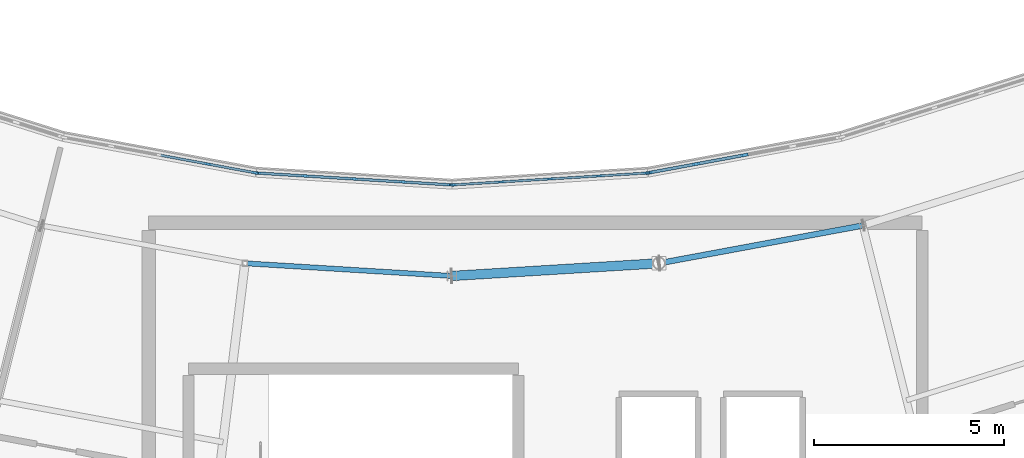
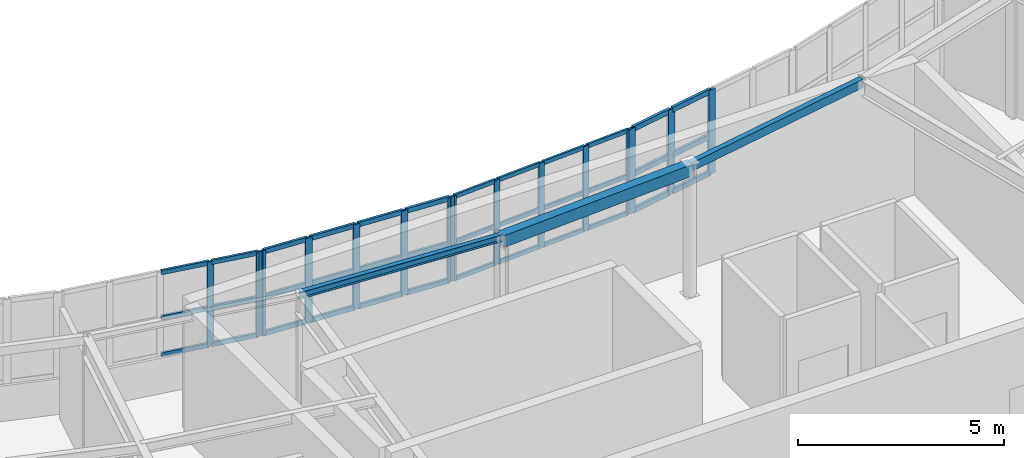
# One storey, part 21 of 60: 51 members, 3 beams, 4 elements without a shape of their own.
"""IFC4 building model written with IfcOpenShell, lengths in metres."""

import ifcopenshell
import ifcopenshell.guid

model = None  # the IFC model being written
_history = None  # IfcOwnerHistory: only IFC2X3 demands one
_inside = {}  # id of a spatial element -> (the spatial element, [elements in it])
_under = {}  # id of a project, library or spatial element -> (it, [spatial elements below it])
_declared = {}  # id of a project -> (the project, [libraries it declares])
_typed = {}  # id of a type object -> (the type object, [elements of that type])
_made_of = {}  # id of a material, layer set ... -> (it, [elements and type objects made of it])


def new_model(schema):
    """Start an empty IFC model of exactly this schema.

    Asked for "IFC4X3", IfcOpenShell would pick the latest addendum, in which some entities
    have other attributes; the version numbers below select the first issue.
    IFC2X3 requires an IfcOwnerHistory on every rooted entity: one is made here for all.
    """
    global model, _history
    if schema == "IFC4X3":
        model = ifcopenshell.file(schema_version=(4, 3, 0, 0))
    else:
        model = ifcopenshell.file(schema=schema)
    _inside.clear()
    _under.clear()
    _declared.clear()
    _typed.clear()
    _made_of.clear()
    _history = None
    if model.schema == "IFC2X3":
        org = make("IfcOrganization", Name="unknown")
        user = make(
            "IfcPersonAndOrganization",
            ThePerson=make("IfcPerson", FamilyName="unknown"),
            TheOrganization=org,
        )
        app = make(
            "IfcApplication",
            ApplicationDeveloper=org,
            Version="unknown",
            ApplicationFullName="unknown",
            ApplicationIdentifier="unknown",
        )
        _history = make(
            "IfcOwnerHistory",
            OwningUser=user,
            OwningApplication=app,
            ChangeAction="ADDED",
            CreationDate=0,
        )
    return model


def make(cls, **values):
    """One entity of the class cls with the attributes given. An attribute that is None is left unset."""
    return model.create_entity(
        cls, **{name: value for name, value in values.items() if value is not None}
    )


def rooted(cls, **values):
    """An entity with a GlobalId (a new one), such as an element, a storey or a relation."""
    return make(cls, GlobalId=ifcopenshell.guid.new(), OwnerHistory=_history, **values)


def si_unit(unit_type, name, prefix=None):
    """IfcSIUnit, for example si_unit("LENGTHUNIT", "METRE", prefix="MILLI")."""
    return make("IfcSIUnit", UnitType=unit_type, Prefix=prefix, Name=name)


def assignment(units):
    """IfcUnitAssignment: the units of a project."""
    return None if units is None else make("IfcUnitAssignment", Units=units)


def point(xyz):
    """IfcCartesianPoint."""
    return None if xyz is None else make("IfcCartesianPoint", Coordinates=xyz)


def direction(xyz):
    """IfcDirection."""
    return None if xyz is None else make("IfcDirection", DirectionRatios=xyz)


def frame(location, z_axis=None, x_axis=None):
    """IfcAxis2Placement3D, a coordinate frame: its origin and axes. An axis left out is left unset."""
    return make(
        "IfcAxis2Placement3D",
        Location=point(location),
        Axis=direction(z_axis),
        RefDirection=direction(x_axis),
    )


def frame_2d(location, x_axis=None):
    """IfcAxis2Placement2D, a coordinate frame in the plane: its origin and x axis."""
    return make(
        "IfcAxis2Placement2D", Location=point(location), RefDirection=direction(x_axis)
    )


def origin():
    """The frame at (0, 0, 0) with its axes left unset."""
    return frame((0.0, 0.0, 0.0))


def origin_2d():
    """The frame at (0, 0) in the plane with its x axis left unset."""
    return frame_2d((0.0, 0.0))


def place(relative_to, where):
    """IfcLocalPlacement: puts the frame where relative to a parent placement (None: the world)."""
    return make(
        "IfcLocalPlacement", PlacementRelTo=relative_to, RelativePlacement=where
    )


def context(
    kind, dimensions, precision=None, world=None, true_north=None, identifier=None
):
    """IfcGeometricRepresentationContext, for example the 3D "Model" context."""
    return make(
        "IfcGeometricRepresentationContext",
        ContextIdentifier=identifier,
        ContextType=kind,
        CoordinateSpaceDimension=dimensions,
        Precision=precision,
        WorldCoordinateSystem=world,
        TrueNorth=true_north,
    )


def subcontext(parent, identifier, kind, view, scale=None):
    """IfcGeometricRepresentationSubContext, for example "Body" below "Model"."""
    return make(
        "IfcGeometricRepresentationSubContext",
        ContextIdentifier=identifier,
        ContextType=kind,
        ParentContext=parent,
        TargetScale=scale,
        TargetView=view,
    )


def project(units=None, contexts=None):
    """IfcProject with its units and contexts."""
    return rooted(
        "IfcProject",
        Name="project",
        RepresentationContexts=contexts,
        UnitsInContext=assignment(units),
    )


def spatial(cls, under=None, at=None, **own):
    """A site, building, storey or space (cls), placed at a placement, below another one or the project."""
    s = rooted(cls, ObjectPlacement=at, **own)
    if under is not None:
        _under.setdefault(under.id(), (under, []))[1].append(s)
    return s


def profile(cls, at=None, kind="AREA", **sizes):
    """A parametric profile (cls). Its sizes go by their IFC names, for example OverallWidth=200.0."""
    return make(cls, ProfileType=kind, Position=at, **sizes)


def rectangle(**sizes):
    """IfcRectangleProfileDef."""
    return profile("IfcRectangleProfileDef", **sizes)


def hollow_rectangle(**sizes):
    """IfcRectangleHollowProfileDef."""
    return profile("IfcRectangleHollowProfileDef", **sizes)


def i_section(**sizes):
    """IfcIShapeProfileDef."""
    return profile("IfcIShapeProfileDef", **sizes)


def extrude(swept, where, along, depth):
    """IfcExtrudedAreaSolid: the profile swept, set in the frame where, extruded along a direction by depth."""
    return make(
        "IfcExtrudedAreaSolid",
        SweptArea=swept,
        Position=where,
        ExtrudedDirection=direction(along),
        Depth=depth,
    )


def shape(context_of_items, identifier, shape_type, items):
    """IfcShapeRepresentation: the items that make up one representation, for example the "Body"."""
    return make(
        "IfcShapeRepresentation",
        ContextOfItems=context_of_items,
        RepresentationIdentifier=identifier,
        RepresentationType=shape_type,
        Items=items,
    )


def material(Name=None, Category=None):
    """IfcMaterial."""
    return make("IfcMaterial", Name=Name, Category=Category)


def layer(
    of_material, thickness, ventilated=None, Name=None, Category=None, Priority=None
):
    """IfcMaterialLayer: one layer of a wall or slab, of a material (None: an air gap)."""
    return make(
        "IfcMaterialLayer",
        Material=of_material,
        LayerThickness=thickness,
        IsVentilated=ventilated,
        Name=Name,
        Category=Category,
        Priority=Priority,
    )


def layer_set(layers, Name=None):
    """IfcMaterialLayerSet."""
    return make("IfcMaterialLayerSet", MaterialLayers=layers, LayerSetName=Name)


def material_profile(
    of_material, cross_section, Name=None, Category=None, Priority=None
):
    """IfcMaterialProfile: a cross section and its material."""
    return make(
        "IfcMaterialProfile",
        Name=Name,
        Material=of_material,
        Profile=cross_section,
        Priority=Priority,
        Category=Category,
    )


def profile_set(profiles, Name=None, composite=None):
    """IfcMaterialProfileSet."""
    return make(
        "IfcMaterialProfileSet",
        Name=Name,
        MaterialProfiles=profiles,
        CompositeProfile=composite,
    )


def made_of(thing, what):
    """Note that an element or type object is made of a material, layer set ...; save() writes the relation."""
    if what is not None:
        _made_of.setdefault(what.id(), (what, []))[1].append(thing)
    return thing


def type_object(cls, material=None, **own):
    """A type object (cls), such as IfcWallType, which elements share."""
    return made_of(rooted(cls, **own), material)


def element(
    cls,
    number,
    at=None,
    inside=None,
    cuts=None,
    type_object=None,
    material=None,
    context=None,
    identifier="Body",
    shape_type=None,
    held_by="IfcProductDefinitionShape",
    body=None,
    shapes=None,
    **own,
):
    """One element of the class cls, such as IfcWall. Its Tag is "e" and its number.

    at: its placement. inside: the storey or other place that contains it. cuts: it is an
    opening in that element (IfcRelVoidsElement). A single representation is given by context,
    identifier, shape_type and body (its items); several are given by shapes. held_by: the class
    of the entity that holds the representations. save() writes the other relations.
    """
    e = rooted(cls, Tag="e%d" % number, ObjectPlacement=at, **own)
    if body is not None:
        shapes = [shape(context, identifier, shape_type, body)]
    if shapes is not None:
        e.Representation = make(held_by, Representations=shapes)
    if inside is not None:
        _inside.setdefault(inside.id(), (inside, []))[1].append(e)
    if cuts is not None:
        rooted(
            "IfcRelVoidsElement", RelatingBuildingElement=cuts, RelatedOpeningElement=e
        )
    if type_object is not None:
        _typed.setdefault(type_object.id(), (type_object, []))[1].append(e)
    return made_of(e, material)


def aggregate(whole, parts):
    """IfcRelAggregates: a whole, such as a stair, and the parts it consists of."""
    return rooted("IfcRelAggregates", RelatingObject=whole, RelatedObjects=parts)


def save(model, path):
    """Write the relations noted so far, then the file.

    IfcRelAggregates (storeys below a building ...), IfcRelContainedInSpatialStructure (elements
    in a storey), IfcRelDefinesByType, IfcRelAssociatesMaterial and IfcRelDeclares: one each for
    every whole, place, type object, material and project.
    """
    for whole, parts in _under.values():
        aggregate(whole, parts)
    for where, things in _inside.values():
        rooted(
            "IfcRelContainedInSpatialStructure",
            RelatedElements=things,
            RelatingStructure=where,
        )
    for kind, things in _typed.values():
        rooted("IfcRelDefinesByType", RelatedObjects=things, RelatingType=kind)
    for what, things in _made_of.values():
        rooted("IfcRelAssociatesMaterial", RelatedObjects=things, RelatingMaterial=what)
    for by, libraries in _declared.values():
        rooted("IfcRelDeclares", RelatingContext=by, RelatedDefinitions=libraries)
    model.write(path)


model = new_model("IFC4")

# Units and contexts
model_context = context("Model", 3, precision=1e-05, world=origin(), true_north=direction((0.0, 1.0)))
body_context = subcontext(model_context, "Body", "Model", "MODEL_VIEW")
ifc_project = project(units=[si_unit("LENGTHUNIT", "METRE"), si_unit("AREAUNIT", "SQUARE_METRE"), si_unit("VOLUMEUNIT", "CUBIC_METRE"), si_unit("PLANEANGLEUNIT", "RADIAN"), si_unit("MASSUNIT", "GRAM", prefix="KILO")], contexts=[model_context])

# Site, building, storey
site_placement = place(None, origin())
site = spatial("IfcSite", under=ifc_project, at=site_placement, CompositionType="ELEMENT")
building_placement = place(site_placement, origin())
building = spatial("IfcBuilding", under=site, at=building_placement, Name="Tarnwether General Hospital", CompositionType="ELEMENT")
storey_placement = place(building_placement, frame((0.0, 0.0, 26.10009765625)))
storey = spatial("IfcBuildingStorey", under=building, at=storey_placement, Name="L06", CompositionType="ELEMENT", Elevation=26.10009765625)

# Beams
ifc_material_1 = material(Name="Steel Grade 350 (350 MPa)", Category="steel")
ifc_material_profile_1 = material_profile(ifc_material_1, i_section(OverallWidth=0.133056640625, OverallDepth=0.201904296875, WebThickness=0.0048828125, FlangeThickness=0.007080078125, at=origin_2d()), Name="200UB22.3")
ifc_profile_set_1 = profile_set([ifc_material_profile_1], Name="Steel Grade 350 (350 MPa)")
beam_type_1 = type_object("IfcBeamType", Name="BM-SP6", PredefinedType="SPANDREL", material=ifc_profile_set_1)
beam_1_placement = place(storey_placement, frame((86.5400390625, 18.533935546875, 3.798828125), z_axis=(0.998134365538, -0.061055616708, 0.0), x_axis=(0.061055616708, 0.998134365538, 0.0)))
element("IfcBeam", 1, at=beam_1_placement, inside=storey, type_object=beam_type_1, Name="Curved Ward SE Inner Spandrel BMG-L06-8654_1853-9200_1820-2211", PredefinedType="SPANDREL", context=body_context, shape_type="SweptSolid", body=[
    extrude(i_section(OverallWidth=0.133056640625, OverallDepth=0.201904296875, WebThickness=0.0048828125, FlangeThickness=0.007080078125, at=origin_2d()), origin(), (0.0, 0.0, 1.0), 5.47021484375),
])
ifc_material_2 = material(Name="Steel Grade C350L0 (350 MPa)", Category="steel")
ifc_material_profile_2 = material_profile(ifc_material_2, hollow_rectangle(XDim=0.25, YDim=0.35009765625, WallThickness=0.012451171875, at=origin_2d()), Name="RHS350x250x12.5")
ifc_profile_set_2 = profile_set([ifc_material_profile_2], Name="Steel Grade C350L0 (350 MPa)")
beam_type_2 = type_object("IfcBeamType", Name="BM-SP7", PredefinedType="SPANDREL", material=ifc_profile_set_2)
beam_2_placement = place(storey_placement, frame((92.0, 18.199951171875, 3.724853515625), z_axis=(0.998134365538, 0.061055616708, 0.0), x_axis=(-0.061055616708, 0.998134365538, 0.0)))
element("IfcBeam", 2, at=beam_2_placement, inside=storey, type_object=beam_type_2, Name="Curved Ward SE Inner Spandrel BMG-L06-9200_1820-9746_1853-2213", PredefinedType="SPANDREL", context=body_context, shape_type="SweptSolid", body=[
    extrude(hollow_rectangle(XDim=0.25, YDim=0.35009765625, WallThickness=0.012451171875, at=origin_2d()), origin(), (0.0, 0.0, 1.0), 5.47021484375),
])
ifc_material_3 = material(Name="Steel Grade C350L0 (350 MPa)", Category="steel")
ifc_material_profile_3 = material_profile(ifc_material_3, hollow_rectangle(XDim=0.14990234375, YDim=0.25, WallThickness=0.008056640625, at=origin_2d()), Name="RHS250x150x8")
ifc_profile_set_3 = profile_set([ifc_material_profile_3], Name="Steel Grade C350L0 (350 MPa)")
beam_type_3 = type_object("IfcBeamType", Name="BM-SP8", PredefinedType="SPANDREL", material=ifc_profile_set_3)
beam_3_placement = place(storey_placement, frame((97.4599609375, 18.533935546875, 3.77490234375), z_axis=(0.983244096291, 0.18229384825, 0.0), x_axis=(-0.18229384825, 0.983244096291, 0.0)))
element("IfcBeam", 3, at=beam_3_placement, inside=storey, type_object=beam_type_3, Name="Curved Ward SE Inner Spandrel BMG-L06-9746_1853-10284_1953-2215", PredefinedType="SPANDREL", context=body_context, shape_type="SweptSolid", body=[
    extrude(hollow_rectangle(XDim=0.14990234375, YDim=0.25, WallThickness=0.008056640625, at=origin_2d()), origin(), (0.0, 0.0, 1.0), 5.469482421875),
])

# Curtain wall, members
ifc_material_4 = material(Name="Anodised aluminium", Category="aluminium")
ifc_layer = layer(ifc_material_4, 0.159912109375)
ifc_layer_set = layer_set([ifc_layer], Name="Anodised aluminium")
curtain_wall_type = type_object("IfcCurtainWallType", Name="CW-03", PredefinedType="NOTDEFINED", material=ifc_layer_set)
curtain_wall_1_placement = place(storey_placement, origin())
curtain_wall_1 = element("IfcCurtainWall", 4, at=curtain_wall_1_placement, inside=storey, type_object=curtain_wall_type, Name="Curtain Wall CWG-L06-920_206-0261", PredefinedType="NOTDEFINED")
ifc_material_5 = material(Name="Anodised aluminium", Category="aluminium")
ifc_material_profile_4 = material_profile(ifc_material_5, rectangle(XDim=0.06005859375, YDim=0.159912109375, at=origin_2d()), Name="ALU-MUL-60x160")
ifc_profile_set_4 = profile_set([ifc_material_profile_4], Name="Anodised aluminium")
member_type_1 = type_object("IfcMemberType", Name="CW-ML1", PredefinedType="MULLION", material=ifc_profile_set_4)
member_1_placement = place(storey_placement, frame((92.030029296875, 20.601806640625, 1.0498046875), z_axis=(0.0, 0.0, 1.0), x_axis=(-0.06104329354, 0.998135119267, 0.0)))
member_1 = element("IfcMember", 5, at=member_1_placement, type_object=member_type_1, Name="CW-03 mullion 1", PredefinedType="MULLION", context=body_context, shape_type="SweptSolid", body=[
    extrude(rectangle(XDim=0.06005859375, YDim=0.159912109375, at=origin_2d()), origin(), (0.0, 0.0, 1.0), 2.4951171875),
])
member_2_placement = place(storey_placement, frame((93.291748046875, 20.678955078125, 1.0498046875), z_axis=(0.0, 0.0, 1.0), x_axis=(-0.06104329354, 0.998135119267, 0.0)))
member_2 = element("IfcMember", 6, at=member_2_placement, type_object=member_type_1, Name="CW-03 mullion 2", PredefinedType="MULLION", context=body_context, shape_type="SweptSolid", body=[
    extrude(rectangle(XDim=0.06005859375, YDim=0.159912109375, at=origin_2d()), origin(), (0.0, 0.0, 1.0), 2.4951171875),
])
member_3_placement = place(storey_placement, frame((94.58349609375, 20.758056640625, 1.0498046875), z_axis=(0.0, 0.0, 1.0), x_axis=(-0.06104329354, 0.998135119267, 0.0)))
member_3 = element("IfcMember", 7, at=member_3_placement, type_object=member_type_1, Name="CW-03 mullion 3", PredefinedType="MULLION", context=body_context, shape_type="SweptSolid", body=[
    extrude(rectangle(XDim=0.06005859375, YDim=0.159912109375, at=origin_2d()), origin(), (0.0, 0.0, 1.0), 2.4951171875),
])
member_4_placement = place(storey_placement, frame((95.875244140625, 20.8369140625, 1.0498046875), z_axis=(0.0, 0.0, 1.0), x_axis=(-0.06104329354, 0.998135119267, 0.0)))
member_4 = element("IfcMember", 8, at=member_4_placement, type_object=member_type_1, Name="CW-03 mullion 4", PredefinedType="MULLION", context=body_context, shape_type="SweptSolid", body=[
    extrude(rectangle(XDim=0.06005859375, YDim=0.159912109375, at=origin_2d()), origin(), (0.0, 0.0, 1.0), 2.4951171875),
])
member_5_placement = place(storey_placement, frame((97.136962890625, 20.9140625, 1.0498046875), z_axis=(0.0, 0.0, 1.0), x_axis=(-0.06104329354, 0.998135119267, 0.0)))
member_5 = element("IfcMember", 9, at=member_5_placement, type_object=member_type_1, Name="CW-03 mullion 5", PredefinedType="MULLION", context=body_context, shape_type="SweptSolid", body=[
    extrude(rectangle(XDim=0.06005859375, YDim=0.159912109375, at=origin_2d()), origin(), (0.0, 0.0, 1.0), 2.4951171875),
])

curtain_wall_2_placement = place(storey_placement, origin())
curtain_wall_2 = element("IfcCurtainWall", 10, at=curtain_wall_2_placement, inside=storey, type_object=curtain_wall_type, Name="Curtain Wall CWG-L06-868_209-0262", PredefinedType="NOTDEFINED")
ifc_material_6 = material(Name="Anodised aluminium", Category="aluminium")
ifc_material_profile_5 = material_profile(ifc_material_6, rectangle(XDim=0.070068359375, YDim=0.179931640625, at=origin_2d()), Name="ALU-MUL-70x180")
ifc_profile_set_5 = profile_set([ifc_material_profile_5], Name="Anodised aluminium")
member_type_2 = type_object("IfcMemberType", Name="CW-ML2", PredefinedType="MULLION", material=ifc_profile_set_5)
member_6_placement = place(storey_placement, frame((86.867919921875, 20.913818359375, 1.0498046875), z_axis=(0.0, 0.0, 1.0), x_axis=(0.06104329354, 0.998135119267, 0.0)))
member_6 = element("IfcMember", 11, at=member_6_placement, type_object=member_type_2, Name="CW-03 mullion 1", PredefinedType="MULLION", context=body_context, shape_type="SweptSolid", body=[
    extrude(rectangle(XDim=0.070068359375, YDim=0.179931640625, at=origin_2d()), origin(), (0.0, 0.0, 1.0), 2.4951171875),
])
member_7_placement = place(storey_placement, frame((88.124755859375, 20.8369140625, 1.0498046875), z_axis=(0.0, 0.0, 1.0), x_axis=(0.06104329354, 0.998135119267, 0.0)))
member_7 = element("IfcMember", 12, at=member_7_placement, type_object=member_type_2, Name="CW-03 mullion 2", PredefinedType="MULLION", context=body_context, shape_type="SweptSolid", body=[
    extrude(rectangle(XDim=0.070068359375, YDim=0.179931640625, at=origin_2d()), origin(), (0.0, 0.0, 1.0), 2.4951171875),
])
member_8_placement = place(storey_placement, frame((89.41650390625, 20.758056640625, 1.0498046875), z_axis=(0.0, 0.0, 1.0), x_axis=(0.06104329354, 0.998135119267, 0.0)))
member_8 = element("IfcMember", 13, at=member_8_placement, type_object=member_type_2, Name="CW-03 mullion 3", PredefinedType="MULLION", context=body_context, shape_type="SweptSolid", body=[
    extrude(rectangle(XDim=0.070068359375, YDim=0.179931640625, at=origin_2d()), origin(), (0.0, 0.0, 1.0), 2.4951171875),
])
member_9_placement = place(storey_placement, frame((90.708251953125, 20.678955078125, 1.0498046875), z_axis=(0.0, 0.0, 1.0), x_axis=(0.06104329354, 0.998135119267, 0.0)))
member_9 = element("IfcMember", 14, at=member_9_placement, type_object=member_type_2, Name="CW-03 mullion 4", PredefinedType="MULLION", context=body_context, shape_type="SweptSolid", body=[
    extrude(rectangle(XDim=0.070068359375, YDim=0.179931640625, at=origin_2d()), origin(), (0.0, 0.0, 1.0), 2.4951171875),
])
member_10_placement = place(storey_placement, frame((91.965087890625, 20.60205078125, 1.0498046875), z_axis=(0.0, 0.0, 1.0), x_axis=(0.06104329354, 0.998135119267, 0.0)))
member_10 = element("IfcMember", 15, at=member_10_placement, type_object=member_type_2, Name="CW-03 mullion 5", PredefinedType="MULLION", context=body_context, shape_type="SweptSolid", body=[
    extrude(rectangle(XDim=0.070068359375, YDim=0.179931640625, at=origin_2d()), origin(), (0.0, 0.0, 1.0), 2.4951171875),
])

curtain_wall_3_placement = place(storey_placement, origin())
curtain_wall_3 = element("IfcCurtainWall", 16, at=curtain_wall_3_placement, inside=storey, type_object=curtain_wall_type, Name="Curtain Wall CWG-L06-817_219-0263", PredefinedType="NOTDEFINED")
ifc_material_7 = material(Name="Anodised aluminium", Category="aluminium")
ifc_material_profile_6 = material_profile(ifc_material_7, rectangle(XDim=0.06494140625, YDim=0.169921875, at=origin_2d()), Name="ALU-MUL-65x170")
ifc_profile_set_6 = profile_set([ifc_material_profile_6], Name="Anodised aluminium")
member_type_3 = type_object("IfcMemberType", Name="CW-ML3", PredefinedType="MULLION", material=ifc_profile_set_6)
member_11_placement = place(storey_placement, frame((85.560546875, 21.15185546875, 1.0498046875), z_axis=(0.0, 0.0, 1.0), x_axis=(0.182165351666, 0.983267910924, 0.0)))
member_11 = element("IfcMember", 17, at=member_11_placement, type_object=member_type_3, Name="CW-03 mullion 4", PredefinedType="MULLION", context=body_context, shape_type="SweptSolid", body=[
    extrude(rectangle(XDim=0.06494140625, YDim=0.169921875, at=origin_2d()), origin(), (0.0, 0.0, 1.0), 2.4951171875),
])
member_12_placement = place(storey_placement, frame((86.801025390625, 20.921875, 1.0498046875), z_axis=(0.0, 0.0, 1.0), x_axis=(0.182165351666, 0.983267910924, 0.0)))
member_12 = element("IfcMember", 18, at=member_12_placement, type_object=member_type_3, Name="CW-03 mullion 5", PredefinedType="MULLION", context=body_context, shape_type="SweptSolid", body=[
    extrude(rectangle(XDim=0.06494140625, YDim=0.169921875, at=origin_2d()), origin(), (0.0, 0.0, 1.0), 2.4951171875),
])

curtain_wall_4_placement = place(storey_placement, origin())
curtain_wall_4 = element("IfcCurtainWall", 19, at=curtain_wall_4_placement, inside=storey, type_object=curtain_wall_type, Name="Curtain Wall CWG-L06-972_209-0260", PredefinedType="NOTDEFINED")
ifc_material_8 = material(Name="Anodised aluminium", Category="aluminium")
ifc_material_profile_7 = material_profile(ifc_material_8, rectangle(XDim=0.080078125, YDim=0.199951171875, at=origin_2d()), Name="ALU-MUL-80x200")
ifc_profile_set_7 = profile_set([ifc_material_profile_7], Name="Anodised aluminium")
member_type_4 = type_object("IfcMemberType", Name="CW-ML4", PredefinedType="MULLION", material=ifc_profile_set_7)
member_13_placement = place(storey_placement, frame((97.206298828125, 20.92333984375, 1.0498046875), z_axis=(0.0, 0.0, 1.0), x_axis=(-0.182165351666, 0.983267910924, 0.0)))
member_13 = element("IfcMember", 20, at=member_13_placement, type_object=member_type_4, Name="CW-03 mullion 1", PredefinedType="MULLION", context=body_context, shape_type="SweptSolid", body=[
    extrude(rectangle(XDim=0.080078125, YDim=0.199951171875, at=origin_2d()), origin(), (0.0, 0.0, 1.0), 2.4951171875),
])
member_14_placement = place(storey_placement, frame((98.439453125, 21.15185546875, 1.0498046875), z_axis=(0.0, 0.0, 1.0), x_axis=(-0.182165351666, 0.983267910924, 0.0)))
member_14 = element("IfcMember", 21, at=member_14_placement, type_object=member_type_4, Name="CW-03 mullion 2", PredefinedType="MULLION", context=body_context, shape_type="SweptSolid", body=[
    extrude(rectangle(XDim=0.080078125, YDim=0.199951171875, at=origin_2d()), origin(), (0.0, 0.0, 1.0), 2.4951171875),
])
member_15_placement = place(storey_placement, frame((99.7119140625, 21.387451171875, 1.0498046875), z_axis=(0.0, 0.0, 1.0), x_axis=(-0.182165351666, 0.983267910924, 0.0)))
member_15 = element("IfcMember", 22, at=member_15_placement, type_object=member_type_4, Name="CW-03 mullion 3", PredefinedType="MULLION", context=body_context, shape_type="SweptSolid", body=[
    extrude(rectangle(XDim=0.080078125, YDim=0.199951171875, at=origin_2d()), origin(), (0.0, 0.0, 1.0), 2.4951171875),
])

# Member
ifc_material_9 = material(Name="Anodised aluminium", Category="aluminium")
ifc_material_profile_8 = material_profile(ifc_material_9, rectangle(XDim=0.06005859375, YDim=0.1201171875, at=origin_2d()), Name="ALU-TRN-60x120")
ifc_profile_set_8 = profile_set([ifc_material_profile_8], Name="Anodised aluminium")
member_type_5 = type_object("IfcMemberType", Name="CW-TR1", PredefinedType="USERDEFINED", material=ifc_profile_set_8)
member_16_placement = place(storey_placement, frame((92.059814453125, 20.603759765625, 1.079833984375), z_axis=(0.998136077867, 0.061027617192, 0.0), x_axis=(-0.061027617192, 0.998136077867, 0.0)))
member_16 = element("IfcMember", 23, at=member_16_placement, type_object=member_type_5, Name="CW-03 transom 1.1", ObjectType="TRANSOM", PredefinedType="USERDEFINED", context=body_context, shape_type="SweptSolid", body=[
    extrude(rectangle(XDim=0.06005859375, YDim=0.1201171875, at=origin_2d()), origin(), (0.0, 0.0, 1.0), 1.2041015625),
])

member_17_placement = place(storey_placement, frame((92.059814453125, 20.603759765625, 2.172607421875), z_axis=(0.998136077867, 0.061027617192, 0.0), x_axis=(-0.061027617192, 0.998136077867, 0.0)))
member_17 = element("IfcMember", 24, at=member_17_placement, type_object=member_type_5, Name="CW-03 transom 1.2", ObjectType="TRANSOM", PredefinedType="USERDEFINED", context=body_context, shape_type="SweptSolid", body=[
    extrude(rectangle(XDim=0.06005859375, YDim=0.1201171875, at=origin_2d()), origin(), (0.0, 0.0, 1.0), 1.2041015625),
])

member_18_placement = place(storey_placement, frame((92.059814453125, 20.603759765625, 3.514892578125), z_axis=(0.998136077867, 0.061027617192, 0.0), x_axis=(-0.061027617192, 0.998136077867, 0.0)))
member_18 = element("IfcMember", 25, at=member_18_placement, type_object=member_type_5, Name="CW-03 transom 1.3", ObjectType="TRANSOM", PredefinedType="USERDEFINED", context=body_context, shape_type="SweptSolid", body=[
    extrude(rectangle(XDim=0.06005859375, YDim=0.1201171875, at=origin_2d()), origin(), (0.0, 0.0, 1.0), 1.2041015625),
])

member_19_placement = place(storey_placement, frame((93.32177734375, 20.680908203125, 1.079833984375), z_axis=(0.998141608765, 0.060937089296, 0.0), x_axis=(-0.060937089296, 0.998141608765, 0.0)))
member_19 = element("IfcMember", 26, at=member_19_placement, type_object=member_type_5, Name="CW-03 transom 2.1", ObjectType="TRANSOM", PredefinedType="USERDEFINED", context=body_context, shape_type="SweptSolid", body=[
    extrude(rectangle(XDim=0.06005859375, YDim=0.1201171875, at=origin_2d()), origin(), (0.0, 0.0, 1.0), 1.23388671875),
])

member_20_placement = place(storey_placement, frame((93.32177734375, 20.680908203125, 2.172607421875), z_axis=(0.998141608765, 0.060937089296, 0.0), x_axis=(-0.060937089296, 0.998141608765, 0.0)))
member_20 = element("IfcMember", 27, at=member_20_placement, type_object=member_type_5, Name="CW-03 transom 2.2", ObjectType="TRANSOM", PredefinedType="USERDEFINED", context=body_context, shape_type="SweptSolid", body=[
    extrude(rectangle(XDim=0.06005859375, YDim=0.1201171875, at=origin_2d()), origin(), (0.0, 0.0, 1.0), 1.23388671875),
])

member_21_placement = place(storey_placement, frame((93.32177734375, 20.680908203125, 3.514892578125), z_axis=(0.998141608765, 0.060937089296, 0.0), x_axis=(-0.060937089296, 0.998141608765, 0.0)))
member_21 = element("IfcMember", 28, at=member_21_placement, type_object=member_type_5, Name="CW-03 transom 2.3", ObjectType="TRANSOM", PredefinedType="USERDEFINED", context=body_context, shape_type="SweptSolid", body=[
    extrude(rectangle(XDim=0.06005859375, YDim=0.1201171875, at=origin_2d()), origin(), (0.0, 0.0, 1.0), 1.23388671875),
])

member_22_placement = place(storey_placement, frame((94.613525390625, 20.759765625, 1.079833984375), z_axis=(0.998129555591, 0.061134198747, 0.0), x_axis=(-0.061134198747, 0.998129555591, 0.0)))
member_22 = element("IfcMember", 29, at=member_22_placement, type_object=member_type_5, Name="CW-03 transom 3.1", ObjectType="TRANSOM", PredefinedType="USERDEFINED", context=body_context, shape_type="SweptSolid", body=[
    extrude(rectangle(XDim=0.06005859375, YDim=0.1201171875, at=origin_2d()), origin(), (0.0, 0.0, 1.0), 1.23388671875),
])

member_23_placement = place(storey_placement, frame((94.613525390625, 20.759765625, 2.172607421875), z_axis=(0.998129555591, 0.061134198747, 0.0), x_axis=(-0.061134198747, 0.998129555591, 0.0)))
member_23 = element("IfcMember", 30, at=member_23_placement, type_object=member_type_5, Name="CW-03 transom 3.2", ObjectType="TRANSOM", PredefinedType="USERDEFINED", context=body_context, shape_type="SweptSolid", body=[
    extrude(rectangle(XDim=0.06005859375, YDim=0.1201171875, at=origin_2d()), origin(), (0.0, 0.0, 1.0), 1.23388671875),
])

member_24_placement = place(storey_placement, frame((94.613525390625, 20.759765625, 3.514892578125), z_axis=(0.998129555591, 0.061134198747, 0.0), x_axis=(-0.061134198747, 0.998129555591, 0.0)))
member_24 = element("IfcMember", 31, at=member_24_placement, type_object=member_type_5, Name="CW-03 transom 3.3", ObjectType="TRANSOM", PredefinedType="USERDEFINED", context=body_context, shape_type="SweptSolid", body=[
    extrude(rectangle(XDim=0.06005859375, YDim=0.1201171875, at=origin_2d()), origin(), (0.0, 0.0, 1.0), 1.23388671875),
])

member_25_placement = place(storey_placement, frame((95.9052734375, 20.8388671875, 1.079833984375), z_axis=(0.998136077867, 0.061027617192, 0.0), x_axis=(-0.061027617192, 0.998136077867, 0.0)))
member_25 = element("IfcMember", 32, at=member_25_placement, type_object=member_type_5, Name="CW-03 transom 4.1", ObjectType="TRANSOM", PredefinedType="USERDEFINED", context=body_context, shape_type="SweptSolid", body=[
    extrude(rectangle(XDim=0.06005859375, YDim=0.1201171875, at=origin_2d()), origin(), (0.0, 0.0, 1.0), 1.2041015625),
])

member_26_placement = place(storey_placement, frame((95.9052734375, 20.8388671875, 2.172607421875), z_axis=(0.998136077867, 0.061027617192, 0.0), x_axis=(-0.061027617192, 0.998136077867, 0.0)))
member_26 = element("IfcMember", 33, at=member_26_placement, type_object=member_type_5, Name="CW-03 transom 4.2", ObjectType="TRANSOM", PredefinedType="USERDEFINED", context=body_context, shape_type="SweptSolid", body=[
    extrude(rectangle(XDim=0.06005859375, YDim=0.1201171875, at=origin_2d()), origin(), (0.0, 0.0, 1.0), 1.2041015625),
])

member_27_placement = place(storey_placement, frame((95.9052734375, 20.8388671875, 3.514892578125), z_axis=(0.998136077867, 0.061027617192, 0.0), x_axis=(-0.061027617192, 0.998136077867, 0.0)))
member_27 = element("IfcMember", 34, at=member_27_placement, type_object=member_type_5, Name="CW-03 transom 4.3", ObjectType="TRANSOM", PredefinedType="USERDEFINED", context=body_context, shape_type="SweptSolid", body=[
    extrude(rectangle(XDim=0.06005859375, YDim=0.1201171875, at=origin_2d()), origin(), (0.0, 0.0, 1.0), 1.2041015625),
])

aggregate(curtain_wall_1, [member_1, member_2, member_3, member_4, member_5, member_16, member_17, member_18, member_19, member_20, member_21, member_22, member_23, member_24, member_25, member_26, member_27])

ifc_material_10 = material(Name="Anodised aluminium", Category="aluminium")
ifc_material_profile_9 = material_profile(ifc_material_10, rectangle(XDim=0.070068359375, YDim=0.139892578125, at=origin_2d()), Name="ALU-TRN-70x140")
ifc_profile_set_9 = profile_set([ifc_material_profile_9], Name="Anodised aluminium")
member_type_6 = type_object("IfcMemberType", Name="CW-TR2", PredefinedType="USERDEFINED", material=ifc_profile_set_9)
member_28_placement = place(storey_placement, frame((86.90283203125, 20.91162109375, 1.0849609375), z_axis=(0.9981394573, -0.06097231979, 0.0), x_axis=(0.06097231979, 0.9981394573, 0.0)))
member_28 = element("IfcMember", 35, at=member_28_placement, type_object=member_type_6, Name="CW-03 transom 1.1", ObjectType="TRANSOM", PredefinedType="USERDEFINED", context=body_context, shape_type="SweptSolid", body=[
    extrude(rectangle(XDim=0.070068359375, YDim=0.139892578125, at=origin_2d()), origin(), (0.0, 0.0, 1.0), 1.189208984375),
])

member_29_placement = place(storey_placement, frame((86.90283203125, 20.91162109375, 2.172607421875), z_axis=(0.9981394573, -0.06097231979, 0.0), x_axis=(0.06097231979, 0.9981394573, 0.0)))
member_29 = element("IfcMember", 36, at=member_29_placement, type_object=member_type_6, Name="CW-03 transom 1.2", ObjectType="TRANSOM", PredefinedType="USERDEFINED", context=body_context, shape_type="SweptSolid", body=[
    extrude(rectangle(XDim=0.070068359375, YDim=0.139892578125, at=origin_2d()), origin(), (0.0, 0.0, 1.0), 1.189208984375),
])

member_30_placement = place(storey_placement, frame((86.90283203125, 20.91162109375, 3.510009765625), z_axis=(0.9981394573, -0.06097231979, 0.0), x_axis=(0.06097231979, 0.9981394573, 0.0)))
member_30 = element("IfcMember", 37, at=member_30_placement, type_object=member_type_6, Name="CW-03 transom 1.3", ObjectType="TRANSOM", PredefinedType="USERDEFINED", context=body_context, shape_type="SweptSolid", body=[
    extrude(rectangle(XDim=0.070068359375, YDim=0.139892578125, at=origin_2d()), origin(), (0.0, 0.0, 1.0), 1.189208984375),
])

member_31_placement = place(storey_placement, frame((88.15966796875, 20.8349609375, 1.0849609375), z_axis=(0.998136243192, -0.06102491317, 0.0), x_axis=(0.06102491317, 0.998136243192, 0.0)))
member_31 = element("IfcMember", 38, at=member_31_placement, type_object=member_type_6, Name="CW-03 transom 2.1", ObjectType="TRANSOM", PredefinedType="USERDEFINED", context=body_context, shape_type="SweptSolid", body=[
    extrude(rectangle(XDim=0.070068359375, YDim=0.139892578125, at=origin_2d()), origin(), (0.0, 0.0, 1.0), 1.22412109375),
])

member_32_placement = place(storey_placement, frame((88.15966796875, 20.8349609375, 2.172607421875), z_axis=(0.998136243192, -0.06102491317, 0.0), x_axis=(0.06102491317, 0.998136243192, 0.0)))
member_32 = element("IfcMember", 39, at=member_32_placement, type_object=member_type_6, Name="CW-03 transom 2.2", ObjectType="TRANSOM", PredefinedType="USERDEFINED", context=body_context, shape_type="SweptSolid", body=[
    extrude(rectangle(XDim=0.070068359375, YDim=0.139892578125, at=origin_2d()), origin(), (0.0, 0.0, 1.0), 1.22412109375),
])

member_33_placement = place(storey_placement, frame((88.15966796875, 20.8349609375, 3.510009765625), z_axis=(0.998136243192, -0.06102491317, 0.0), x_axis=(0.06102491317, 0.998136243192, 0.0)))
member_33 = element("IfcMember", 40, at=member_33_placement, type_object=member_type_6, Name="CW-03 transom 2.3", ObjectType="TRANSOM", PredefinedType="USERDEFINED", context=body_context, shape_type="SweptSolid", body=[
    extrude(rectangle(XDim=0.070068359375, YDim=0.139892578125, at=origin_2d()), origin(), (0.0, 0.0, 1.0), 1.22412109375),
])

member_34_placement = place(storey_placement, frame((89.451416015625, 20.755859375, 1.0849609375), z_axis=(0.998136243192, -0.06102491317, 0.0), x_axis=(0.06102491317, 0.998136243192, 0.0)))
member_34 = element("IfcMember", 41, at=member_34_placement, type_object=member_type_6, Name="CW-03 transom 3.1", ObjectType="TRANSOM", PredefinedType="USERDEFINED", context=body_context, shape_type="SweptSolid", body=[
    extrude(rectangle(XDim=0.070068359375, YDim=0.139892578125, at=origin_2d()), origin(), (0.0, 0.0, 1.0), 1.22412109375),
])

member_35_placement = place(storey_placement, frame((89.451416015625, 20.755859375, 2.172607421875), z_axis=(0.998136243192, -0.06102491317, 0.0), x_axis=(0.06102491317, 0.998136243192, 0.0)))
member_35 = element("IfcMember", 42, at=member_35_placement, type_object=member_type_6, Name="CW-03 transom 3.2", ObjectType="TRANSOM", PredefinedType="USERDEFINED", context=body_context, shape_type="SweptSolid", body=[
    extrude(rectangle(XDim=0.070068359375, YDim=0.139892578125, at=origin_2d()), origin(), (0.0, 0.0, 1.0), 1.22412109375),
])

member_36_placement = place(storey_placement, frame((89.451416015625, 20.755859375, 3.510009765625), z_axis=(0.998136243192, -0.06102491317, 0.0), x_axis=(0.06102491317, 0.998136243192, 0.0)))
member_36 = element("IfcMember", 43, at=member_36_placement, type_object=member_type_6, Name="CW-03 transom 3.3", ObjectType="TRANSOM", PredefinedType="USERDEFINED", context=body_context, shape_type="SweptSolid", body=[
    extrude(rectangle(XDim=0.070068359375, YDim=0.139892578125, at=origin_2d()), origin(), (0.0, 0.0, 1.0), 1.22412109375),
])

member_37_placement = place(storey_placement, frame((90.7431640625, 20.6767578125, 1.0849609375), z_axis=(0.9981394573, -0.06097231979, 0.0), x_axis=(0.06097231979, 0.9981394573, 0.0)))
member_37 = element("IfcMember", 44, at=member_37_placement, type_object=member_type_6, Name="CW-03 transom 4.1", ObjectType="TRANSOM", PredefinedType="USERDEFINED", context=body_context, shape_type="SweptSolid", body=[
    extrude(rectangle(XDim=0.070068359375, YDim=0.139892578125, at=origin_2d()), origin(), (0.0, 0.0, 1.0), 1.189208984375),
])

member_38_placement = place(storey_placement, frame((90.7431640625, 20.6767578125, 2.172607421875), z_axis=(0.9981394573, -0.06097231979, 0.0), x_axis=(0.06097231979, 0.9981394573, 0.0)))
member_38 = element("IfcMember", 45, at=member_38_placement, type_object=member_type_6, Name="CW-03 transom 4.2", ObjectType="TRANSOM", PredefinedType="USERDEFINED", context=body_context, shape_type="SweptSolid", body=[
    extrude(rectangle(XDim=0.070068359375, YDim=0.139892578125, at=origin_2d()), origin(), (0.0, 0.0, 1.0), 1.189208984375),
])

member_39_placement = place(storey_placement, frame((90.7431640625, 20.6767578125, 3.510009765625), z_axis=(0.9981394573, -0.06097231979, 0.0), x_axis=(0.06097231979, 0.9981394573, 0.0)))
member_39 = element("IfcMember", 46, at=member_39_placement, type_object=member_type_6, Name="CW-03 transom 4.3", ObjectType="TRANSOM", PredefinedType="USERDEFINED", context=body_context, shape_type="SweptSolid", body=[
    extrude(rectangle(XDim=0.070068359375, YDim=0.139892578125, at=origin_2d()), origin(), (0.0, 0.0, 1.0), 1.189208984375),
])

aggregate(curtain_wall_2, [member_6, member_7, member_8, member_9, member_10, member_28, member_29, member_30, member_31, member_32, member_33, member_34, member_35, member_36, member_37, member_38, member_39])

ifc_material_11 = material(Name="Anodised aluminium", Category="aluminium")
ifc_material_profile_10 = material_profile(ifc_material_11, rectangle(XDim=0.06494140625, YDim=0.1298828125, at=origin_2d()), Name="ALU-TRN-65x130")
ifc_profile_set_10 = profile_set([ifc_material_profile_10], Name="Anodised aluminium")
member_type_7 = type_object("IfcMemberType", Name="CW-TR3", PredefinedType="USERDEFINED", material=ifc_profile_set_10)
member_40_placement = place(storey_placement, frame((84.320068359375, 21.381591796875, 1.08251953125), z_axis=(0.983270147702, -0.182153277867, 0.0), x_axis=(0.182153277867, 0.983270147702, 0.0)))
member_40 = element("IfcMember", 47, at=member_40_placement, type_object=member_type_7, Name="CW-03 transom 3.1", ObjectType="TRANSOM", PredefinedType="USERDEFINED", context=body_context, shape_type="SweptSolid", body=[
    extrude(rectangle(XDim=0.06494140625, YDim=0.1298828125, at=origin_2d()), origin(), (0.0, 0.0, 1.0), 1.22900390625),
])

member_41_placement = place(storey_placement, frame((84.320068359375, 21.381591796875, 2.172607421875), z_axis=(0.983270147702, -0.182153277867, 0.0), x_axis=(0.182153277867, 0.983270147702, 0.0)))
member_41 = element("IfcMember", 48, at=member_41_placement, type_object=member_type_7, Name="CW-03 transom 3.2", ObjectType="TRANSOM", PredefinedType="USERDEFINED", context=body_context, shape_type="SweptSolid", body=[
    extrude(rectangle(XDim=0.06494140625, YDim=0.1298828125, at=origin_2d()), origin(), (0.0, 0.0, 1.0), 1.22900390625),
])

member_42_placement = place(storey_placement, frame((84.320068359375, 21.381591796875, 3.512451171875), z_axis=(0.983270147702, -0.182153277867, 0.0), x_axis=(0.182153277867, 0.983270147702, 0.0)))
member_42 = element("IfcMember", 49, at=member_42_placement, type_object=member_type_7, Name="CW-03 transom 3.3", ObjectType="TRANSOM", PredefinedType="USERDEFINED", context=body_context, shape_type="SweptSolid", body=[
    extrude(rectangle(XDim=0.06494140625, YDim=0.1298828125, at=origin_2d()), origin(), (0.0, 0.0, 1.0), 1.22900390625),
])

member_43_placement = place(storey_placement, frame((85.592529296875, 21.145751953125, 1.08251953125), z_axis=(0.983260349414, -0.18220616145, 0.0), x_axis=(0.18220616145, 0.983260349414, 0.0)))
member_43 = element("IfcMember", 50, at=member_43_placement, type_object=member_type_7, Name="CW-03 transom 4.1", ObjectType="TRANSOM", PredefinedType="USERDEFINED", context=body_context, shape_type="SweptSolid", body=[
    extrude(rectangle(XDim=0.06494140625, YDim=0.1298828125, at=origin_2d()), origin(), (0.0, 0.0, 1.0), 1.196533203125),
])

member_44_placement = place(storey_placement, frame((85.592529296875, 21.145751953125, 2.172607421875), z_axis=(0.983260349414, -0.18220616145, 0.0), x_axis=(0.18220616145, 0.983260349414, 0.0)))
member_44 = element("IfcMember", 51, at=member_44_placement, type_object=member_type_7, Name="CW-03 transom 4.2", ObjectType="TRANSOM", PredefinedType="USERDEFINED", context=body_context, shape_type="SweptSolid", body=[
    extrude(rectangle(XDim=0.06494140625, YDim=0.1298828125, at=origin_2d()), origin(), (0.0, 0.0, 1.0), 1.196533203125),
])

member_45_placement = place(storey_placement, frame((85.592529296875, 21.145751953125, 3.512451171875), z_axis=(0.983260349414, -0.18220616145, 0.0), x_axis=(0.18220616145, 0.983260349414, 0.0)))
member_45 = element("IfcMember", 52, at=member_45_placement, type_object=member_type_7, Name="CW-03 transom 4.3", ObjectType="TRANSOM", PredefinedType="USERDEFINED", context=body_context, shape_type="SweptSolid", body=[
    extrude(rectangle(XDim=0.06494140625, YDim=0.1298828125, at=origin_2d()), origin(), (0.0, 0.0, 1.0), 1.196533203125),
])

aggregate(curtain_wall_3, [member_11, member_12, member_40, member_41, member_42, member_43, member_44, member_45])

ifc_material_12 = material(Name="Anodised aluminium", Category="aluminium")
ifc_material_profile_11 = material_profile(ifc_material_12, rectangle(XDim=0.080078125, YDim=0.14990234375, at=origin_2d()), Name="ALU-TRN-80x150")
ifc_profile_set_11 = profile_set([ifc_material_profile_11], Name="Anodised aluminium")
member_type_8 = type_object("IfcMemberType", Name="CW-TR4", PredefinedType="USERDEFINED", material=ifc_profile_set_11)
member_46_placement = place(storey_placement, frame((97.24560546875, 20.9306640625, 1.08984375), z_axis=(0.983272351961, 0.182141378794, 0.0), x_axis=(-0.182141378794, 0.983272351961, 0.0)))
member_46 = element("IfcMember", 53, at=member_46_placement, type_object=member_type_8, Name="CW-03 transom 1.1", ObjectType="TRANSOM", PredefinedType="USERDEFINED", context=body_context, shape_type="SweptSolid", body=[
    extrude(rectangle(XDim=0.080078125, YDim=0.14990234375, at=origin_2d()), origin(), (0.0, 0.0, 1.0), 1.174072265625),
])

member_47_placement = place(storey_placement, frame((97.24560546875, 20.9306640625, 2.172607421875), z_axis=(0.983272351961, 0.182141378794, 0.0), x_axis=(-0.182141378794, 0.983272351961, 0.0)))
member_47 = element("IfcMember", 54, at=member_47_placement, type_object=member_type_8, Name="CW-03 transom 1.2", ObjectType="TRANSOM", PredefinedType="USERDEFINED", context=body_context, shape_type="SweptSolid", body=[
    extrude(rectangle(XDim=0.080078125, YDim=0.14990234375, at=origin_2d()), origin(), (0.0, 0.0, 1.0), 1.174072265625),
])

member_48_placement = place(storey_placement, frame((97.24560546875, 20.9306640625, 3.5048828125), z_axis=(0.983272351961, 0.182141378794, 0.0), x_axis=(-0.182141378794, 0.983272351961, 0.0)))
member_48 = element("IfcMember", 55, at=member_48_placement, type_object=member_type_8, Name="CW-03 transom 1.3", ObjectType="TRANSOM", PredefinedType="USERDEFINED", context=body_context, shape_type="SweptSolid", body=[
    extrude(rectangle(XDim=0.080078125, YDim=0.14990234375, at=origin_2d()), origin(), (0.0, 0.0, 1.0), 1.174072265625),
])

member_49_placement = place(storey_placement, frame((98.478759765625, 21.158935546875, 1.08984375), z_axis=(0.983266000374, 0.182175663873, 0.0), x_axis=(-0.182175663873, 0.983266000374, 0.0)))
member_49 = element("IfcMember", 56, at=member_49_placement, type_object=member_type_8, Name="CW-03 transom 2.1", ObjectType="TRANSOM", PredefinedType="USERDEFINED", context=body_context, shape_type="SweptSolid", body=[
    extrude(rectangle(XDim=0.080078125, YDim=0.14990234375, at=origin_2d()), origin(), (0.0, 0.0, 1.0), 1.214111328125),
])

member_50_placement = place(storey_placement, frame((98.478759765625, 21.158935546875, 2.172607421875), z_axis=(0.983266000374, 0.182175663873, 0.0), x_axis=(-0.182175663873, 0.983266000374, 0.0)))
member_50 = element("IfcMember", 57, at=member_50_placement, type_object=member_type_8, Name="CW-03 transom 2.2", ObjectType="TRANSOM", PredefinedType="USERDEFINED", context=body_context, shape_type="SweptSolid", body=[
    extrude(rectangle(XDim=0.080078125, YDim=0.14990234375, at=origin_2d()), origin(), (0.0, 0.0, 1.0), 1.214111328125),
])

member_51_placement = place(storey_placement, frame((98.478759765625, 21.158935546875, 3.5048828125), z_axis=(0.983266000374, 0.182175663873, 0.0), x_axis=(-0.182175663873, 0.983266000374, 0.0)))
member_51 = element("IfcMember", 58, at=member_51_placement, type_object=member_type_8, Name="CW-03 transom 2.3", ObjectType="TRANSOM", PredefinedType="USERDEFINED", context=body_context, shape_type="SweptSolid", body=[
    extrude(rectangle(XDim=0.080078125, YDim=0.14990234375, at=origin_2d()), origin(), (0.0, 0.0, 1.0), 1.214111328125),
])

aggregate(curtain_wall_4, [member_13, member_14, member_15, member_46, member_47, member_48, member_49, member_50, member_51])

save(model, "model.ifc")
